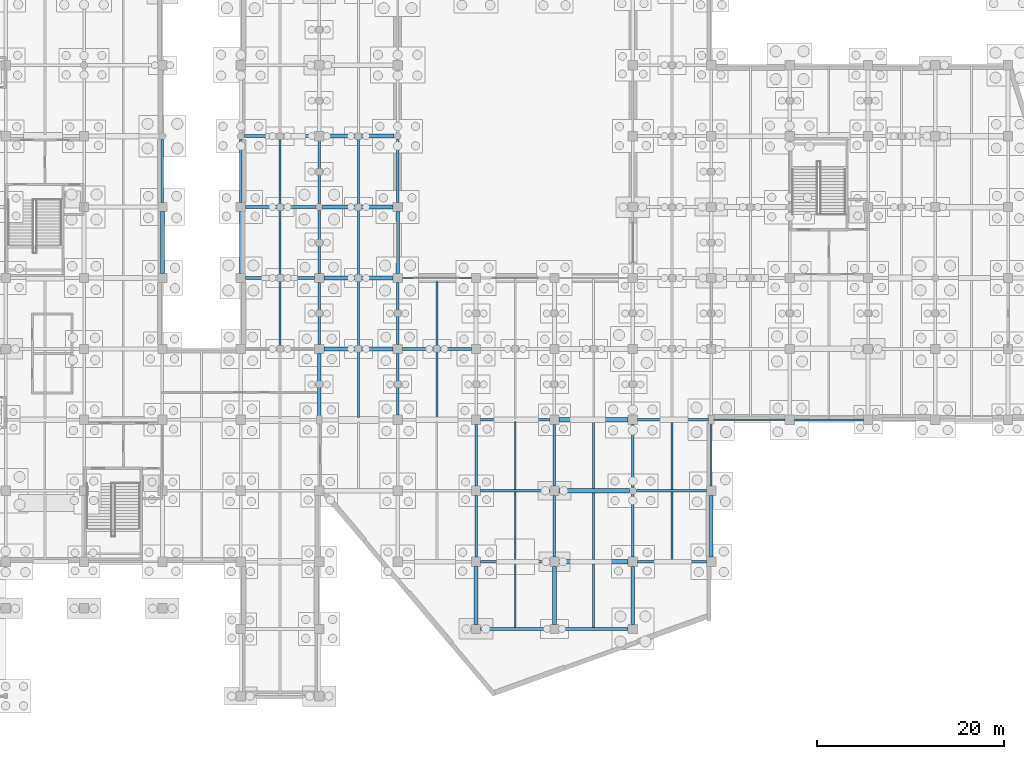
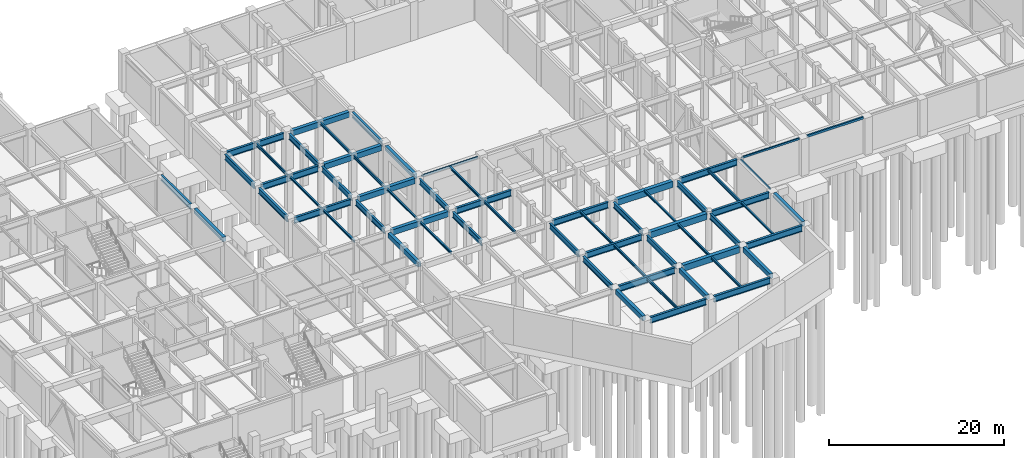
# One storey, part 24 of 52: 62 beams.
"""IFC4 building model written with IfcOpenShell, lengths in metres."""

import ifcopenshell
import ifcopenshell.guid

model = None  # the IFC model being written
_history = None  # IfcOwnerHistory: only IFC2X3 demands one
_inside = {}  # id of a spatial element -> (the spatial element, [elements in it])
_under = {}  # id of a project, library or spatial element -> (it, [spatial elements below it])
_declared = {}  # id of a project -> (the project, [libraries it declares])
_typed = {}  # id of a type object -> (the type object, [elements of that type])
_made_of = {}  # id of a material, layer set ... -> (it, [elements and type objects made of it])


def new_model(schema):
    """Start an empty IFC model of exactly this schema.

    Asked for "IFC4X3", IfcOpenShell would pick the latest addendum, in which some entities
    have other attributes; the version numbers below select the first issue.
    IFC2X3 requires an IfcOwnerHistory on every rooted entity: one is made here for all.
    """
    global model, _history
    if schema == "IFC4X3":
        model = ifcopenshell.file(schema_version=(4, 3, 0, 0))
    else:
        model = ifcopenshell.file(schema=schema)
    _inside.clear()
    _under.clear()
    _declared.clear()
    _typed.clear()
    _made_of.clear()
    _history = None
    if model.schema == "IFC2X3":
        org = make("IfcOrganization", Name="unknown")
        user = make(
            "IfcPersonAndOrganization",
            ThePerson=make("IfcPerson", FamilyName="unknown"),
            TheOrganization=org,
        )
        app = make(
            "IfcApplication",
            ApplicationDeveloper=org,
            Version="unknown",
            ApplicationFullName="unknown",
            ApplicationIdentifier="unknown",
        )
        _history = make(
            "IfcOwnerHistory",
            OwningUser=user,
            OwningApplication=app,
            ChangeAction="ADDED",
            CreationDate=0,
        )
    return model


def make(cls, **values):
    """One entity of the class cls with the attributes given. An attribute that is None is left unset."""
    return model.create_entity(
        cls, **{name: value for name, value in values.items() if value is not None}
    )


def rooted(cls, **values):
    """An entity with a GlobalId (a new one), such as an element, a storey or a relation."""
    return make(cls, GlobalId=ifcopenshell.guid.new(), OwnerHistory=_history, **values)


def si_unit(unit_type, name, prefix=None):
    """IfcSIUnit, for example si_unit("LENGTHUNIT", "METRE", prefix="MILLI")."""
    return make("IfcSIUnit", UnitType=unit_type, Prefix=prefix, Name=name)


def assignment(units):
    """IfcUnitAssignment: the units of a project."""
    return None if units is None else make("IfcUnitAssignment", Units=units)


def point(xyz):
    """IfcCartesianPoint."""
    return None if xyz is None else make("IfcCartesianPoint", Coordinates=xyz)


def direction(xyz):
    """IfcDirection."""
    return None if xyz is None else make("IfcDirection", DirectionRatios=xyz)


def frame(location, z_axis=None, x_axis=None):
    """IfcAxis2Placement3D, a coordinate frame: its origin and axes. An axis left out is left unset."""
    return make(
        "IfcAxis2Placement3D",
        Location=point(location),
        Axis=direction(z_axis),
        RefDirection=direction(x_axis),
    )


def frame_2d(location, x_axis=None):
    """IfcAxis2Placement2D, a coordinate frame in the plane: its origin and x axis."""
    return make(
        "IfcAxis2Placement2D", Location=point(location), RefDirection=direction(x_axis)
    )


def origin():
    """The frame at (0, 0, 0) with its axes left unset."""
    return frame((0.0, 0.0, 0.0))


def origin_2d():
    """The frame at (0, 0) in the plane with its x axis left unset."""
    return frame_2d((0.0, 0.0))


def place(relative_to, where):
    """IfcLocalPlacement: puts the frame where relative to a parent placement (None: the world)."""
    return make(
        "IfcLocalPlacement", PlacementRelTo=relative_to, RelativePlacement=where
    )


def context(
    kind, dimensions, precision=None, world=None, true_north=None, identifier=None
):
    """IfcGeometricRepresentationContext, for example the 3D "Model" context."""
    return make(
        "IfcGeometricRepresentationContext",
        ContextIdentifier=identifier,
        ContextType=kind,
        CoordinateSpaceDimension=dimensions,
        Precision=precision,
        WorldCoordinateSystem=world,
        TrueNorth=true_north,
    )


def subcontext(parent, identifier, kind, view, scale=None):
    """IfcGeometricRepresentationSubContext, for example "Body" below "Model"."""
    return make(
        "IfcGeometricRepresentationSubContext",
        ContextIdentifier=identifier,
        ContextType=kind,
        ParentContext=parent,
        TargetScale=scale,
        TargetView=view,
    )


def project(units=None, contexts=None):
    """IfcProject with its units and contexts."""
    return rooted(
        "IfcProject",
        Name="project",
        RepresentationContexts=contexts,
        UnitsInContext=assignment(units),
    )


def spatial(cls, under=None, at=None, **own):
    """A site, building, storey or space (cls), placed at a placement, below another one or the project."""
    s = rooted(cls, ObjectPlacement=at, **own)
    if under is not None:
        _under.setdefault(under.id(), (under, []))[1].append(s)
    return s


def profile(cls, at=None, kind="AREA", **sizes):
    """A parametric profile (cls). Its sizes go by their IFC names, for example OverallWidth=200.0."""
    return make(cls, ProfileType=kind, Position=at, **sizes)


def rectangle(**sizes):
    """IfcRectangleProfileDef."""
    return profile("IfcRectangleProfileDef", **sizes)


def hollow_rectangle(**sizes):
    """IfcRectangleHollowProfileDef."""
    return profile("IfcRectangleHollowProfileDef", **sizes)


def i_section(**sizes):
    """IfcIShapeProfileDef."""
    return profile("IfcIShapeProfileDef", **sizes)


def extrude(swept, where, along, depth):
    """IfcExtrudedAreaSolid: the profile swept, set in the frame where, extruded along a direction by depth."""
    return make(
        "IfcExtrudedAreaSolid",
        SweptArea=swept,
        Position=where,
        ExtrudedDirection=direction(along),
        Depth=depth,
    )


def shape(context_of_items, identifier, shape_type, items):
    """IfcShapeRepresentation: the items that make up one representation, for example the "Body"."""
    return make(
        "IfcShapeRepresentation",
        ContextOfItems=context_of_items,
        RepresentationIdentifier=identifier,
        RepresentationType=shape_type,
        Items=items,
    )


def material(Name=None, Category=None):
    """IfcMaterial."""
    return make("IfcMaterial", Name=Name, Category=Category)


def material_profile(
    of_material, cross_section, Name=None, Category=None, Priority=None
):
    """IfcMaterialProfile: a cross section and its material."""
    return make(
        "IfcMaterialProfile",
        Name=Name,
        Material=of_material,
        Profile=cross_section,
        Priority=Priority,
        Category=Category,
    )


def profile_set(profiles, Name=None, composite=None):
    """IfcMaterialProfileSet."""
    return make(
        "IfcMaterialProfileSet",
        Name=Name,
        MaterialProfiles=profiles,
        CompositeProfile=composite,
    )


def made_of(thing, what):
    """Note that an element or type object is made of a material, layer set ...; save() writes the relation."""
    if what is not None:
        _made_of.setdefault(what.id(), (what, []))[1].append(thing)
    return thing


def type_object(cls, material=None, **own):
    """A type object (cls), such as IfcWallType, which elements share."""
    return made_of(rooted(cls, **own), material)


def element(
    cls,
    number,
    at=None,
    inside=None,
    cuts=None,
    type_object=None,
    material=None,
    context=None,
    identifier="Body",
    shape_type=None,
    held_by="IfcProductDefinitionShape",
    body=None,
    shapes=None,
    **own,
):
    """One element of the class cls, such as IfcWall. Its Tag is "e" and its number.

    at: its placement. inside: the storey or other place that contains it. cuts: it is an
    opening in that element (IfcRelVoidsElement). A single representation is given by context,
    identifier, shape_type and body (its items); several are given by shapes. held_by: the class
    of the entity that holds the representations. save() writes the other relations.
    """
    e = rooted(cls, Tag="e%d" % number, ObjectPlacement=at, **own)
    if body is not None:
        shapes = [shape(context, identifier, shape_type, body)]
    if shapes is not None:
        e.Representation = make(held_by, Representations=shapes)
    if inside is not None:
        _inside.setdefault(inside.id(), (inside, []))[1].append(e)
    if cuts is not None:
        rooted(
            "IfcRelVoidsElement", RelatingBuildingElement=cuts, RelatedOpeningElement=e
        )
    if type_object is not None:
        _typed.setdefault(type_object.id(), (type_object, []))[1].append(e)
    return made_of(e, material)


def aggregate(whole, parts):
    """IfcRelAggregates: a whole, such as a stair, and the parts it consists of."""
    return rooted("IfcRelAggregates", RelatingObject=whole, RelatedObjects=parts)


def save(model, path):
    """Write the relations noted so far, then the file.

    IfcRelAggregates (storeys below a building ...), IfcRelContainedInSpatialStructure (elements
    in a storey), IfcRelDefinesByType, IfcRelAssociatesMaterial and IfcRelDeclares: one each for
    every whole, place, type object, material and project.
    """
    for whole, parts in _under.values():
        aggregate(whole, parts)
    for where, things in _inside.values():
        rooted(
            "IfcRelContainedInSpatialStructure",
            RelatedElements=things,
            RelatingStructure=where,
        )
    for kind, things in _typed.values():
        rooted("IfcRelDefinesByType", RelatedObjects=things, RelatingType=kind)
    for what, things in _made_of.values():
        rooted("IfcRelAssociatesMaterial", RelatedObjects=things, RelatingMaterial=what)
    for by, libraries in _declared.values():
        rooted("IfcRelDeclares", RelatingContext=by, RelatedDefinitions=libraries)
    model.write(path)


model = new_model("IFC4")

# Units and contexts
model_context = context("Model", 3, precision=1e-05, world=origin(), true_north=direction((0.0, 1.0)))
body_context = subcontext(model_context, "Body", "Model", "MODEL_VIEW")
ifc_project = project(units=[si_unit("LENGTHUNIT", "METRE"), si_unit("AREAUNIT", "SQUARE_METRE"), si_unit("VOLUMEUNIT", "CUBIC_METRE"), si_unit("PLANEANGLEUNIT", "RADIAN"), si_unit("MASSUNIT", "GRAM", prefix="KILO")], contexts=[model_context])

# Site, building, storey
site_placement = place(None, origin())
site = spatial("IfcSite", under=ifc_project, at=site_placement, CompositionType="ELEMENT")
building_placement = place(site_placement, origin())
building = spatial("IfcBuilding", under=site, at=building_placement, Name="Xicomal Pleat Aquarium", CompositionType="ELEMENT")
storey_placement = place(building_placement, frame((0.0, 0.0, -5.39990234375)))
storey = spatial("IfcBuildingStorey", under=building, at=storey_placement, Name="B1", CompositionType="ELEMENT", Elevation=-5.39990234375)

# Beams
ifc_material_1 = material(Name="Concrete C40/50", Category="concrete")
ifc_material_profile_1 = material_profile(ifc_material_1, rectangle(XDim=0.39990234375, YDim=0.64990234375, at=origin_2d()), Name="RC 400x650")
ifc_profile_set_1 = profile_set([ifc_material_profile_1], Name="Concrete C40/50")
beam_type_1 = type_object("IfcBeamType", Name="BM-RC-400x650", PredefinedType="LINTEL", material=ifc_profile_set_1)
beam_1_placement = place(storey_placement, frame((35.39990234375, 46.094970703125, 4.81494140625), z_axis=(0.0, 1.0, 0.0), x_axis=(-1.0, 0.0, 0.0)))
element("IfcBeam", 1, at=beam_1_placement, inside=storey, type_object=beam_type_1, Name="B1 framing beam FGY-B1-05-G-H", PredefinedType="LINTEL", context=body_context, shape_type="SweptSolid", body=[
    extrude(rectangle(XDim=0.39990234375, YDim=0.64990234375, at=origin_2d()), origin(), (0.0, 0.0, 1.0), 6.610107421875),
])
beam_2_placement = place(storey_placement, frame((52.199951171875, 30.695068359375, 4.75), z_axis=(0.0, 1.0, 0.0), x_axis=(-1.0, 0.0, 0.0)))
element("IfcBeam", 2, at=beam_2_placement, inside=storey, type_object=beam_type_1, Name="B1 framing beam FGY-B1-07-E-F", PredefinedType="LINTEL", context=body_context, shape_type="SweptSolid", body=[
    extrude(rectangle(XDim=0.39990234375, YDim=0.64990234375, at=origin_2d()), origin(), (0.0, 0.0, 1.0), 6.809814453125),
])
beam_3_placement = place(storey_placement, frame((60.60009765625, 46.094970703125, 4.75), z_axis=(0.0, 1.0, 0.0), x_axis=(-1.0, 0.0, 0.0)))
element("IfcBeam", 3, at=beam_3_placement, inside=storey, type_object=beam_type_1, Name="B1 framing beam FGY-B1-08-G-H", PredefinedType="LINTEL", context=body_context, shape_type="SweptSolid", body=[
    extrude(rectangle(XDim=0.39990234375, YDim=0.64990234375, at=origin_2d()), origin(), (0.0, 0.0, 1.0), 6.610107421875),
])
for number, where, z_axis, x_axis, name in (
    (4, (69.0, 8.4951171875, 4.8349609375), (0.0, 1.0, 0.0), (-1.0, 0.0, 0.0), "B1 framing beam FGY-B1-09-B-C"),
    (5, (77.39990234375, 8.4951171875, 4.8349609375), (0.0, 1.0, 0.0), (-1.0, 0.0, 0.0), "B1 framing beam FGY-B1-10-B-C"),
    (6, (85.800048828125, 8.4951171875, 4.8349609375), (0.0, 1.0, 0.0), (-1.0, 0.0, 0.0), "B1 framing beam FGY-B1-11-B-C"),
):
    element("IfcBeam", number, at=place(storey_placement, frame(where, z_axis=z_axis, x_axis=x_axis)), inside=storey, type_object=beam_type_1, Name=name, PredefinedType="LINTEL", context=body_context, shape_type="SweptSolid", body=[
        extrude(rectangle(XDim=0.39990234375, YDim=0.64990234375, at=origin_2d()), origin(), (0.0, 0.0, 1.0), 6.2099609375),
    ])
beam_4_placement = place(storey_placement, frame((94.199951171875, 15.695068359375, 4.8349609375), z_axis=(0.0, 1.0, 0.0), x_axis=(-1.0, 0.0, 0.0)))
element("IfcBeam", 7, at=beam_4_placement, inside=storey, type_object=beam_type_1, Name="B1 framing beam FGY-B1-12-C-D", PredefinedType="LINTEL", context=body_context, shape_type="SweptSolid", body=[
    extrude(rectangle(XDim=0.39990234375, YDim=0.64990234375, at=origin_2d()), origin(), (0.0, 0.0, 1.0), 6.60986328125),
])
ifc_material_2 = material(Name="Concrete C40/50", Category="concrete")
ifc_material_profile_2 = material_profile(ifc_material_2, rectangle(XDim=0.449951171875, YDim=0.75, at=origin_2d()), Name="RC 450x750")
ifc_profile_set_2 = profile_set([ifc_material_profile_2], Name="Concrete C40/50")
beam_type_2 = type_object("IfcBeamType", Name="BM-RC-450x750", PredefinedType="BEAM", material=ifc_profile_set_2)
for number, where, z_axis, x_axis, name in (
    (8, (52.695068359375, 38.0, 4.699951171875), (1.0, 0.0, 0.0), (0.0, 1.0, 0.0), "B1 framing beam FGX-B1-07-08-F"),
    (9, (52.695068359375, 45.60009765625, 4.699951171875), (1.0, 0.0, 0.0), (0.0, 1.0, 0.0), "B1 framing beam FGX-B1-07-08-G"),
):
    element("IfcBeam", number, at=place(storey_placement, frame(where, z_axis=z_axis, x_axis=x_axis)), inside=storey, type_object=beam_type_2, Name=name, PredefinedType="BEAM", context=body_context, shape_type="SweptSolid", body=[
        extrude(rectangle(XDim=0.449951171875, YDim=0.75, at=origin_2d()), origin(), (0.0, 0.0, 1.0), 7.409912109375),
    ])
for number, where, z_axis, x_axis, name in (
    (10, (52.570068359375, 53.199951171875, 4.699951171875), (1.0, 0.0, 0.0), (0.0, 1.0, 0.0), "B1 framing beam FGX-B1-07-08-H"),
    (11, (52.695068359375, 60.800048828125, 4.699951171875), (1.0, 0.0, 0.0), (0.0, 1.0, 0.0), "B1 framing beam FGX-B1-07-08-J"),
):
    element("IfcBeam", number, at=place(storey_placement, frame(where, z_axis=z_axis, x_axis=x_axis)), inside=storey, type_object=beam_type_2, Name=name, PredefinedType="BEAM", context=body_context, shape_type="SweptSolid", body=[
        extrude(rectangle(XDim=0.449951171875, YDim=0.75, at=origin_2d()), origin(), (0.0, 0.0, 1.0), 7.534912109375),
    ])
ifc_material_3 = material(Name="Concrete C40/50", Category="concrete")
ifc_material_profile_3 = material_profile(ifc_material_3, rectangle(XDim=0.5, YDim=0.85009765625, at=origin_2d()), Name="RC 500x850")
ifc_profile_set_3 = profile_set([ifc_material_profile_3], Name="Concrete C40/50")
beam_type_3 = type_object("IfcBeamType", Name="BM-RC-500x850", PredefinedType="T_BEAM", material=ifc_profile_set_3)
beam_5_placement = place(storey_placement, frame((77.89501953125, 15.199951171875, 4.73486328125), z_axis=(1.0, 0.0, 0.0), x_axis=(0.0, 1.0, 0.0)))
element("IfcBeam", 12, at=beam_5_placement, inside=storey, type_object=beam_type_3, Name="B1 framing beam FGX-B1-10-11-C", PredefinedType="T_BEAM", context=body_context, shape_type="SweptSolid", body=[
    extrude(rectangle(XDim=0.5, YDim=0.85009765625, at=origin_2d()), origin(), (0.0, 0.0, 1.0), 7.409912109375),
])
beam_6_placement = place(storey_placement, frame((77.89501953125, 22.800048828125, 4.73486328125), z_axis=(1.0, 0.0, 0.0), x_axis=(0.0, 1.0, 0.0)))
element("IfcBeam", 13, at=beam_6_placement, inside=storey, type_object=beam_type_3, Name="B1 framing beam FGX-B1-10-11-D", PredefinedType="T_BEAM", context=body_context, shape_type="SweptSolid", body=[
    extrude(rectangle(XDim=0.5, YDim=0.85009765625, at=origin_2d()), origin(), (0.0, 0.0, 1.0), 7.534912109375),
])
beam_7_placement = place(storey_placement, frame((77.89501953125, 30.39990234375, 4.64990234375), z_axis=(1.0, 0.0, 0.0), x_axis=(0.0, 1.0, 0.0)))
element("IfcBeam", 14, at=beam_7_placement, inside=storey, type_object=beam_type_3, Name="B1 framing beam FGX-B1-10-11-E", PredefinedType="T_BEAM", context=body_context, shape_type="SweptSolid", body=[
    extrude(rectangle(XDim=0.5, YDim=0.85009765625, at=origin_2d()), origin(), (0.0, 0.0, 1.0), 7.409912109375),
])
ifc_material_4 = material(Name="Structural steel A992 Gr 50", Category="steel")
ifc_material_profile_4 = material_profile(ifc_material_4, i_section(OverallWidth=0.201904296875, OverallDepth=0.2470703125, WebThickness=0.00732421875, FlangeThickness=0.010986328125, at=origin_2d()), Name="IR 250x49")
ifc_profile_set_4 = profile_set([ifc_material_profile_4], Name="Structural steel A992 Gr 50")
beam_type_4 = type_object("IfcBeamType", Name="BM-STL-IR250", PredefinedType="JOIST", material=ifc_profile_set_4)
beam_8_placement = place(storey_placement, frame((48.0, 45.75, 4.951416015625), z_axis=(0.0, 1.0, 0.0), x_axis=(-1.0, 0.0, 0.0)))
element("IfcBeam", 15, at=beam_8_placement, inside=storey, type_object=beam_type_4, Name="B1 framing beam FBJ-B1-06-G-1", PredefinedType="JOIST", context=body_context, shape_type="SweptSolid", body=[
    extrude(i_section(OverallWidth=0.201904296875, OverallDepth=0.2470703125, WebThickness=0.00732421875, FlangeThickness=0.010986328125, at=origin_2d()), origin(), (0.0, 0.0, 1.0), 7.300048828125),
])
beam_9_placement = place(storey_placement, frame((56.39990234375, 38.22802734375, 4.951416015625), z_axis=(0.0, 1.0, 0.0), x_axis=(-1.0, 0.0, 0.0)))
element("IfcBeam", 16, at=beam_9_placement, inside=storey, type_object=beam_type_4, Name="B1 framing beam FBJ-B1-07-F-1", PredefinedType="JOIST", context=body_context, shape_type="SweptSolid", body=[
    extrude(i_section(OverallWidth=0.201904296875, OverallDepth=0.2470703125, WebThickness=0.00732421875, FlangeThickness=0.010986328125, at=origin_2d()), origin(), (0.0, 0.0, 1.0), 7.14404296875),
])
beam_10_placement = place(storey_placement, frame((81.60009765625, 23.052978515625, 5.036376953125), z_axis=(0.0, 1.0, 0.0), x_axis=(-1.0, 0.0, 0.0)))
element("IfcBeam", 17, at=beam_10_placement, inside=storey, type_object=beam_type_4, Name="B1 framing beam FBJ-B1-10-D-1", PredefinedType="JOIST", context=body_context, shape_type="SweptSolid", body=[
    extrude(i_section(OverallWidth=0.201904296875, OverallDepth=0.2470703125, WebThickness=0.00732421875, FlangeThickness=0.010986328125, at=origin_2d()), origin(), (0.0, 0.0, 1.0), 7.093994140625),
])
beam_11_placement = place(storey_placement, frame((90.0, 15.35009765625, 5.036376953125), z_axis=(0.0, 1.0, 0.0), x_axis=(-1.0, 0.0, 0.0)))
element("IfcBeam", 18, at=beam_11_placement, inside=storey, type_object=beam_type_4, Name="B1 framing beam FBJ-B1-11-C-1", PredefinedType="JOIST", context=body_context, shape_type="SweptSolid", body=[
    extrude(i_section(OverallWidth=0.201904296875, OverallDepth=0.2470703125, WebThickness=0.00732421875, FlangeThickness=0.010986328125, at=origin_2d()), origin(), (0.0, 0.0, 1.0), 7.2998046875),
])
ifc_material_5 = material(Name="Structural steel A992 Gr 50", Category="steel")
ifc_material_profile_5 = material_profile(ifc_material_5, i_section(OverallWidth=0.202880859375, OverallDepth=0.302978515625, WebThickness=0.007568359375, FlangeThickness=0.01318359375, at=origin_2d()), Name="IR 310x60")
ifc_profile_set_5 = profile_set([ifc_material_profile_5], Name="Structural steel A992 Gr 50")
beam_type_5 = type_object("IfcBeamType", Name="BM-STL-IR310", PredefinedType="JOIST", material=ifc_profile_set_5)
beam_12_placement = place(storey_placement, frame((48.0, 38.14990234375, 4.92333984375), z_axis=(0.0, 1.0, 0.0), x_axis=(-1.0, 0.0, 0.0)))
element("IfcBeam", 19, at=beam_12_placement, inside=storey, type_object=beam_type_5, Name="B1 framing beam FBJ-B1-06-F-1", PredefinedType="JOIST", context=body_context, shape_type="SweptSolid", body=[
    extrude(i_section(OverallWidth=0.202880859375, OverallDepth=0.302978515625, WebThickness=0.007568359375, FlangeThickness=0.01318359375, at=origin_2d()), origin(), (0.0, 0.0, 1.0), 7.300048828125),
])
beam_13_placement = place(storey_placement, frame((56.39990234375, 30.6279296875, 4.92333984375), z_axis=(0.0, 1.0, 0.0), x_axis=(-1.0, 0.0, 0.0)))
element("IfcBeam", 20, at=beam_13_placement, inside=storey, type_object=beam_type_5, Name="B1 framing beam FBJ-B1-07-E-1", PredefinedType="JOIST", context=body_context, shape_type="SweptSolid", body=[
    extrude(i_section(OverallWidth=0.202880859375, OverallDepth=0.302978515625, WebThickness=0.007568359375, FlangeThickness=0.01318359375, at=origin_2d()), origin(), (0.0, 0.0, 1.0), 7.14404296875),
])
beam_14_placement = place(storey_placement, frame((64.800048828125, 38.14990234375, 4.92333984375), z_axis=(0.0, 1.0, 0.0), x_axis=(-1.0, 0.0, 0.0)))
element("IfcBeam", 21, at=beam_14_placement, inside=storey, type_object=beam_type_5, Name="B1 framing beam FBJ-B1-08-F-1", PredefinedType="JOIST", context=body_context, shape_type="SweptSolid", body=[
    extrude(i_section(OverallWidth=0.202880859375, OverallDepth=0.302978515625, WebThickness=0.007568359375, FlangeThickness=0.01318359375, at=origin_2d()), origin(), (0.0, 0.0, 1.0), 7.3720703125),
])
beam_15_placement = place(storey_placement, frame((73.199951171875, 22.949951171875, 5.00830078125), z_axis=(0.0, 1.0, 0.0), x_axis=(-1.0, 0.0, 0.0)))
element("IfcBeam", 22, at=beam_15_placement, inside=storey, type_object=beam_type_5, Name="B1 framing beam FBJ-B1-09-D-1", PredefinedType="JOIST", context=body_context, shape_type="SweptSolid", body=[
    extrude(i_section(OverallWidth=0.202880859375, OverallDepth=0.302978515625, WebThickness=0.007568359375, FlangeThickness=0.01318359375, at=origin_2d()), origin(), (0.0, 0.0, 1.0), 7.300048828125),
])
beam_16_placement = place(storey_placement, frame((81.60009765625, 15.452880859375, 5.00830078125), z_axis=(0.0, 1.0, 0.0), x_axis=(-1.0, 0.0, 0.0)))
element("IfcBeam", 23, at=beam_16_placement, inside=storey, type_object=beam_type_5, Name="B1 framing beam FBJ-B1-10-C-1", PredefinedType="JOIST", context=body_context, shape_type="SweptSolid", body=[
    extrude(i_section(OverallWidth=0.202880859375, OverallDepth=0.302978515625, WebThickness=0.007568359375, FlangeThickness=0.01318359375, at=origin_2d()), origin(), (0.0, 0.0, 1.0), 7.09423828125),
])
ifc_material_6 = material(Name="Structural steel A992 Gr 50", Category="steel")
ifc_material_profile_6 = material_profile(ifc_material_6, i_section(OverallWidth=0.205078125, OverallDepth=0.35400390625, WebThickness=0.009521484375, FlangeThickness=0.016845703125, at=origin_2d()), Name="IR 360x79")
ifc_profile_set_6 = profile_set([ifc_material_profile_6], Name="Structural steel A992 Gr 50")
beam_type_6 = type_object("IfcBeamType", Name="BM-STL-IR360", PredefinedType="JOIST", material=ifc_profile_set_6)
beam_17_placement = place(storey_placement, frame((56.39990234375, 53.427978515625, 4.89794921875), z_axis=(0.0, 1.0, 0.0), x_axis=(-1.0, 0.0, 0.0)))
element("IfcBeam", 24, at=beam_17_placement, inside=storey, type_object=beam_type_6, Name="B1 framing beam FBJ-B1-07-H-1", PredefinedType="JOIST", context=body_context, shape_type="SweptSolid", body=[
    extrude(i_section(OverallWidth=0.205078125, OverallDepth=0.35400390625, WebThickness=0.009521484375, FlangeThickness=0.016845703125, at=origin_2d()), origin(), (0.0, 0.0, 1.0), 7.14404296875),
])
beam_18_placement = place(storey_placement, frame((64.800048828125, 30.550048828125, 4.89794921875), z_axis=(0.0, 1.0, 0.0), x_axis=(-1.0, 0.0, 0.0)))
element("IfcBeam", 25, at=beam_18_placement, inside=storey, type_object=beam_type_6, Name="B1 framing beam FBJ-B1-08-E-1", PredefinedType="JOIST", context=body_context, shape_type="SweptSolid", body=[
    extrude(i_section(OverallWidth=0.205078125, OverallDepth=0.35400390625, WebThickness=0.009521484375, FlangeThickness=0.016845703125, at=origin_2d()), origin(), (0.0, 0.0, 1.0), 7.300048828125),
])
beam_19_placement = place(storey_placement, frame((73.199951171875, 15.35009765625, 4.98291015625), z_axis=(0.0, 1.0, 0.0), x_axis=(-1.0, 0.0, 0.0)))
element("IfcBeam", 26, at=beam_19_placement, inside=storey, type_object=beam_type_6, Name="B1 framing beam FBJ-B1-09-C-1", PredefinedType="JOIST", context=body_context, shape_type="SweptSolid", body=[
    extrude(i_section(OverallWidth=0.205078125, OverallDepth=0.35400390625, WebThickness=0.009521484375, FlangeThickness=0.016845703125, at=origin_2d()), origin(), (0.0, 0.0, 1.0), 7.2998046875),
])
beam_20_placement = place(storey_placement, frame((81.60009765625, 8.14990234375, 4.98291015625), z_axis=(0.0, 1.0, 0.0), x_axis=(-1.0, 0.0, 0.0)))
element("IfcBeam", 27, at=beam_20_placement, inside=storey, type_object=beam_type_6, Name="B1 framing beam FBJ-B1-10-B-1", PredefinedType="JOIST", context=body_context, shape_type="SweptSolid", body=[
    extrude(i_section(OverallWidth=0.205078125, OverallDepth=0.35400390625, WebThickness=0.009521484375, FlangeThickness=0.016845703125, at=origin_2d()), origin(), (0.0, 0.0, 1.0), 6.797119140625),
])
ifc_material_7 = material(Name="Structural steel A992 Gr 50", Category="steel")
ifc_material_profile_7 = material_profile(ifc_material_7, i_section(OverallWidth=0.180908203125, OverallDepth=0.4169921875, WebThickness=0.010986328125, FlangeThickness=0.018310546875, at=origin_2d()), Name="IR 410x85")
ifc_profile_set_7 = profile_set([ifc_material_profile_7], Name="Structural steel A992 Gr 50")
beam_type_7 = type_object("IfcBeamType", Name="BM-STL-IR410", PredefinedType="JOIST", material=ifc_profile_set_7)
beam_21_placement = place(storey_placement, frame((48.0, 53.35009765625, 4.866455078125), z_axis=(0.0, 1.0, 0.0), x_axis=(-1.0, 0.0, 0.0)))
element("IfcBeam", 28, at=beam_21_placement, inside=storey, type_object=beam_type_7, Name="B1 framing beam FBJ-B1-06-H-1", PredefinedType="JOIST", context=body_context, shape_type="SweptSolid", body=[
    extrude(i_section(OverallWidth=0.180908203125, OverallDepth=0.4169921875, WebThickness=0.010986328125, FlangeThickness=0.018310546875, at=origin_2d()), origin(), (0.0, 0.0, 1.0), 7.2998046875),
])
beam_22_placement = place(storey_placement, frame((56.39990234375, 45.827880859375, 4.866455078125), z_axis=(0.0, 1.0, 0.0), x_axis=(-1.0, 0.0, 0.0)))
element("IfcBeam", 29, at=beam_22_placement, inside=storey, type_object=beam_type_7, Name="B1 framing beam FBJ-B1-07-G-1", PredefinedType="JOIST", context=body_context, shape_type="SweptSolid", body=[
    extrude(i_section(OverallWidth=0.180908203125, OverallDepth=0.4169921875, WebThickness=0.010986328125, FlangeThickness=0.018310546875, at=origin_2d()), origin(), (0.0, 0.0, 1.0), 7.14404296875),
])
beam_23_placement = place(storey_placement, frame((73.199951171875, 8.14990234375, 4.951416015625), z_axis=(0.0, 1.0, 0.0), x_axis=(-1.0, 0.0, 0.0)))
element("IfcBeam", 30, at=beam_23_placement, inside=storey, type_object=beam_type_7, Name="B1 framing beam FBJ-B1-09-B-1", PredefinedType="JOIST", context=body_context, shape_type="SweptSolid", body=[
    extrude(i_section(OverallWidth=0.180908203125, OverallDepth=0.4169921875, WebThickness=0.010986328125, FlangeThickness=0.018310546875, at=origin_2d()), origin(), (0.0, 0.0, 1.0), 6.900146484375),
])
beam_24_placement = place(storey_placement, frame((90.0, 22.949951171875, 4.951416015625), z_axis=(0.0, 1.0, 0.0), x_axis=(-1.0, 0.0, 0.0)))
element("IfcBeam", 31, at=beam_24_placement, inside=storey, type_object=beam_type_7, Name="B1 framing beam FBJ-B1-11-D-1", PredefinedType="JOIST", context=body_context, shape_type="SweptSolid", body=[
    extrude(i_section(OverallWidth=0.180908203125, OverallDepth=0.4169921875, WebThickness=0.010986328125, FlangeThickness=0.018310546875, at=origin_2d()), origin(), (0.0, 0.0, 1.0), 7.300048828125),
])
ifc_material_8 = material(Name="Structural steel A992 Gr 50", Category="steel")
ifc_material_profile_8 = material_profile(ifc_material_8, i_section(OverallWidth=0.26806640625, OverallDepth=0.77001953125, WebThickness=0.015625, FlangeThickness=0.025390625, at=origin_2d()), Name="IR 760x196")
ifc_profile_set_8 = profile_set([ifc_material_profile_8], Name="Structural steel A992 Gr 50")
beam_type_8 = type_object("IfcBeamType", Name="BM-STL-IR760", PredefinedType="BEAM", material=ifc_profile_set_8)
beam_25_placement = place(storey_placement, frame((35.39990234375, 53.695068359375, 4.7548828125), z_axis=(0.0, 1.0, 0.0), x_axis=(-1.0, 0.0, 0.0)))
element("IfcBeam", 32, at=beam_25_placement, inside=storey, type_object=beam_type_8, Name="B1 framing beam FGY-B1-05-H-J", PredefinedType="BEAM", context=body_context, shape_type="SweptSolid", body=[
    extrude(i_section(OverallWidth=0.26806640625, OverallDepth=0.77001953125, WebThickness=0.015625, FlangeThickness=0.025390625, at=origin_2d()), origin(), (0.0, 0.0, 1.0), 6.73486328125),
])
beam_26_placement = place(storey_placement, frame((43.800048828125, 46.094970703125, 4.68994140625), z_axis=(0.0, 1.0, 0.0), x_axis=(-1.0, 0.0, 0.0)))
element("IfcBeam", 33, at=beam_26_placement, inside=storey, type_object=beam_type_8, Name="B1 framing beam FGY-B1-06-G-H", PredefinedType="BEAM", context=body_context, shape_type="SweptSolid", body=[
    extrude(i_section(OverallWidth=0.26806640625, OverallDepth=0.77001953125, WebThickness=0.015625, FlangeThickness=0.025390625, at=origin_2d()), origin(), (0.0, 0.0, 1.0), 6.610107421875),
])
beam_27_placement = place(storey_placement, frame((43.800048828125, 53.695068359375, 4.68994140625), z_axis=(0.0, 1.0, 0.0), x_axis=(-1.0, 0.0, 0.0)))
element("IfcBeam", 34, at=beam_27_placement, inside=storey, type_object=beam_type_8, Name="B1 framing beam FGY-B1-06-H-J", PredefinedType="BEAM", context=body_context, shape_type="SweptSolid", body=[
    extrude(i_section(OverallWidth=0.26806640625, OverallDepth=0.77001953125, WebThickness=0.015625, FlangeThickness=0.025390625, at=origin_2d()), origin(), (0.0, 0.0, 1.0), 6.73486328125),
])
beam_28_placement = place(storey_placement, frame((52.199951171875, 38.4951171875, 4.68994140625), z_axis=(0.0, 1.0, 0.0), x_axis=(-1.0, 0.0, 0.0)))
element("IfcBeam", 35, at=beam_28_placement, inside=storey, type_object=beam_type_8, Name="B1 framing beam FGY-B1-07-F-G", PredefinedType="BEAM", context=body_context, shape_type="SweptSolid", body=[
    extrude(i_section(OverallWidth=0.26806640625, OverallDepth=0.77001953125, WebThickness=0.015625, FlangeThickness=0.025390625, at=origin_2d()), origin(), (0.0, 0.0, 1.0), 6.60986328125),
])
beam_29_placement = place(storey_placement, frame((52.199951171875, 46.094970703125, 4.68994140625), z_axis=(0.0, 1.0, 0.0), x_axis=(-1.0, 0.0, 0.0)))
element("IfcBeam", 36, at=beam_29_placement, inside=storey, type_object=beam_type_8, Name="B1 framing beam FGY-B1-07-G-H", PredefinedType="BEAM", context=body_context, shape_type="SweptSolid", body=[
    extrude(i_section(OverallWidth=0.26806640625, OverallDepth=0.77001953125, WebThickness=0.015625, FlangeThickness=0.025390625, at=origin_2d()), origin(), (0.0, 0.0, 1.0), 6.735107421875),
])
beam_30_placement = place(storey_placement, frame((52.199951171875, 53.570068359375, 4.68994140625), z_axis=(0.0, 1.0, 0.0), x_axis=(-1.0, 0.0, 0.0)))
element("IfcBeam", 37, at=beam_30_placement, inside=storey, type_object=beam_type_8, Name="B1 framing beam FGY-B1-07-H-J", PredefinedType="BEAM", context=body_context, shape_type="SweptSolid", body=[
    extrude(i_section(OverallWidth=0.26806640625, OverallDepth=0.77001953125, WebThickness=0.015625, FlangeThickness=0.025390625, at=origin_2d()), origin(), (0.0, 0.0, 1.0), 6.73486328125),
])
for number, where, z_axis, x_axis, name in (
    (38, (60.60009765625, 30.89501953125, 4.68994140625), (0.0, 1.0, 0.0), (-1.0, 0.0, 0.0), "B1 framing beam FGY-B1-08-E-F"),
    (39, (60.60009765625, 38.4951171875, 4.68994140625), (0.0, 1.0, 0.0), (-1.0, 0.0, 0.0), "B1 framing beam FGY-B1-08-F-G"),
):
    element("IfcBeam", number, at=place(storey_placement, frame(where, z_axis=z_axis, x_axis=x_axis)), inside=storey, type_object=beam_type_8, Name=name, PredefinedType="BEAM", context=body_context, shape_type="SweptSolid", body=[
        extrude(i_section(OverallWidth=0.26806640625, OverallDepth=0.77001953125, WebThickness=0.015625, FlangeThickness=0.025390625, at=origin_2d()), origin(), (0.0, 0.0, 1.0), 6.60986328125),
    ])
beam_31_placement = place(storey_placement, frame((60.60009765625, 53.695068359375, 4.68994140625), z_axis=(0.0, 1.0, 0.0), x_axis=(-1.0, 0.0, 0.0)))
element("IfcBeam", 40, at=beam_31_placement, inside=storey, type_object=beam_type_8, Name="B1 framing beam FGY-B1-08-H-J", PredefinedType="BEAM", context=body_context, shape_type="SweptSolid", body=[
    extrude(i_section(OverallWidth=0.26806640625, OverallDepth=0.77001953125, WebThickness=0.015625, FlangeThickness=0.025390625, at=origin_2d()), origin(), (0.0, 0.0, 1.0), 6.73486328125),
])
beam_32_placement = place(storey_placement, frame((69.0, 15.695068359375, 4.77490234375), z_axis=(0.0, 1.0, 0.0), x_axis=(-1.0, 0.0, 0.0)))
element("IfcBeam", 41, at=beam_32_placement, inside=storey, type_object=beam_type_8, Name="B1 framing beam FGY-B1-09-C-D", PredefinedType="BEAM", context=body_context, shape_type="SweptSolid", body=[
    extrude(i_section(OverallWidth=0.26806640625, OverallDepth=0.77001953125, WebThickness=0.015625, FlangeThickness=0.025390625, at=origin_2d()), origin(), (0.0, 0.0, 1.0), 6.60986328125),
])
beam_33_placement = place(storey_placement, frame((69.0, 23.294921875, 4.77490234375), z_axis=(0.0, 1.0, 0.0), x_axis=(-1.0, 0.0, 0.0)))
element("IfcBeam", 42, at=beam_33_placement, inside=storey, type_object=beam_type_8, Name="B1 framing beam FGY-B1-09-D-E", PredefinedType="BEAM", context=body_context, shape_type="SweptSolid", body=[
    extrude(i_section(OverallWidth=0.26806640625, OverallDepth=0.77001953125, WebThickness=0.015625, FlangeThickness=0.025390625, at=origin_2d()), origin(), (0.0, 0.0, 1.0), 6.610107421875),
])
beam_34_placement = place(storey_placement, frame((77.39990234375, 15.695068359375, 4.77490234375), z_axis=(0.0, 1.0, 0.0), x_axis=(-1.0, 0.0, 0.0)))
element("IfcBeam", 43, at=beam_34_placement, inside=storey, type_object=beam_type_8, Name="B1 framing beam FGY-B1-10-C-D", PredefinedType="BEAM", context=body_context, shape_type="SweptSolid", body=[
    extrude(i_section(OverallWidth=0.26806640625, OverallDepth=0.77001953125, WebThickness=0.015625, FlangeThickness=0.025390625, at=origin_2d()), origin(), (0.0, 0.0, 1.0), 6.60986328125),
])
beam_35_placement = place(storey_placement, frame((77.39990234375, 23.294921875, 4.77490234375), z_axis=(0.0, 1.0, 0.0), x_axis=(-1.0, 0.0, 0.0)))
element("IfcBeam", 44, at=beam_35_placement, inside=storey, type_object=beam_type_8, Name="B1 framing beam FGY-B1-10-D-E", PredefinedType="BEAM", context=body_context, shape_type="SweptSolid", body=[
    extrude(i_section(OverallWidth=0.26806640625, OverallDepth=0.77001953125, WebThickness=0.015625, FlangeThickness=0.025390625, at=origin_2d()), origin(), (0.0, 0.0, 1.0), 6.610107421875),
])
beam_36_placement = place(storey_placement, frame((85.800048828125, 15.695068359375, 4.77490234375), z_axis=(0.0, 1.0, 0.0), x_axis=(-1.0, 0.0, 0.0)))
element("IfcBeam", 45, at=beam_36_placement, inside=storey, type_object=beam_type_8, Name="B1 framing beam FGY-B1-11-C-D", PredefinedType="BEAM", context=body_context, shape_type="SweptSolid", body=[
    extrude(i_section(OverallWidth=0.26806640625, OverallDepth=0.77001953125, WebThickness=0.015625, FlangeThickness=0.025390625, at=origin_2d()), origin(), (0.0, 0.0, 1.0), 6.73486328125),
])
beam_37_placement = place(storey_placement, frame((85.800048828125, 23.169921875, 4.77490234375), z_axis=(0.0, 1.0, 0.0), x_axis=(-1.0, 0.0, 0.0)))
element("IfcBeam", 46, at=beam_37_placement, inside=storey, type_object=beam_type_8, Name="B1 framing beam FGY-B1-11-D-E", PredefinedType="BEAM", context=body_context, shape_type="SweptSolid", body=[
    extrude(i_section(OverallWidth=0.26806640625, OverallDepth=0.77001953125, WebThickness=0.015625, FlangeThickness=0.025390625, at=origin_2d()), origin(), (0.0, 0.0, 1.0), 6.735107421875),
])
ifc_material_9 = material(Name="Structural steel A992 Gr 50", Category="steel")
ifc_material_profile_9 = material_profile(ifc_material_9, i_section(OverallWidth=0.2939453125, OverallDepth=0.85107421875, WebThickness=0.01611328125, FlangeThickness=0.02685546875, at=origin_2d()), Name="IR 840x226")
ifc_profile_set_9 = profile_set([ifc_material_profile_9], Name="Structural steel A992 Gr 50")
beam_type_9 = type_object("IfcBeamType", Name="BM-STL-IR840", PredefinedType="BEAM", material=ifc_profile_set_9)
for number, where, z_axis, x_axis, name in (
    (47, (69.4951171875, 8.0, 4.734375), (1.0, 0.0, 0.0), (0.0, 1.0, 0.0), "B1 framing beam FGX-B1-09-10-B"),
    (48, (77.89501953125, 8.0, 4.734375), (1.0, 0.0, 0.0), (0.0, 1.0, 0.0), "B1 framing beam FGX-B1-10-11-B"),
    (49, (69.4951171875, 15.199951171875, 4.734375), (1.0, 0.0, 0.0), (0.0, 1.0, 0.0), "B1 framing beam FGX-B1-09-10-C"),
):
    element("IfcBeam", number, at=place(storey_placement, frame(where, z_axis=z_axis, x_axis=x_axis)), inside=storey, type_object=beam_type_9, Name=name, PredefinedType="BEAM", context=body_context, shape_type="SweptSolid", body=[
        extrude(i_section(OverallWidth=0.2939453125, OverallDepth=0.85107421875, WebThickness=0.01611328125, FlangeThickness=0.02685546875, at=origin_2d()), origin(), (0.0, 0.0, 1.0), 7.409912109375),
    ])
beam_38_placement = place(storey_placement, frame((86.294921875, 15.199951171875, 4.734375), z_axis=(1.0, 0.0, 0.0), x_axis=(0.0, 1.0, 0.0)))
element("IfcBeam", 50, at=beam_38_placement, inside=storey, type_object=beam_type_9, Name="B1 framing beam FGX-B1-11-12-C", PredefinedType="BEAM", context=body_context, shape_type="SweptSolid", body=[
    extrude(i_section(OverallWidth=0.2939453125, OverallDepth=0.85107421875, WebThickness=0.01611328125, FlangeThickness=0.02685546875, at=origin_2d()), origin(), (0.0, 0.0, 1.0), 7.41015625),
])
beam_39_placement = place(storey_placement, frame((69.4951171875, 22.800048828125, 4.734375), z_axis=(1.0, 0.0, 0.0), x_axis=(0.0, 1.0, 0.0)))
element("IfcBeam", 51, at=beam_39_placement, inside=storey, type_object=beam_type_9, Name="B1 framing beam FGX-B1-09-10-D", PredefinedType="BEAM", context=body_context, shape_type="SweptSolid", body=[
    extrude(i_section(OverallWidth=0.2939453125, OverallDepth=0.85107421875, WebThickness=0.01611328125, FlangeThickness=0.02685546875, at=origin_2d()), origin(), (0.0, 0.0, 1.0), 7.409912109375),
])
beam_40_placement = place(storey_placement, frame((86.169921875, 22.800048828125, 4.734375), z_axis=(1.0, 0.0, 0.0), x_axis=(0.0, 1.0, 0.0)))
element("IfcBeam", 52, at=beam_40_placement, inside=storey, type_object=beam_type_9, Name="B1 framing beam FGX-B1-11-12-D", PredefinedType="BEAM", context=body_context, shape_type="SweptSolid", body=[
    extrude(i_section(OverallWidth=0.2939453125, OverallDepth=0.85107421875, WebThickness=0.01611328125, FlangeThickness=0.02685546875, at=origin_2d()), origin(), (0.0, 0.0, 1.0), 7.53515625),
])
beam_41_placement = place(storey_placement, frame((69.4951171875, 30.39990234375, 4.6494140625), z_axis=(1.0, 0.0, 0.0), x_axis=(0.0, 1.0, 0.0)))
element("IfcBeam", 53, at=beam_41_placement, inside=storey, type_object=beam_type_9, Name="B1 framing beam FGX-B1-09-10-E", PredefinedType="BEAM", context=body_context, shape_type="SweptSolid", body=[
    extrude(i_section(OverallWidth=0.2939453125, OverallDepth=0.85107421875, WebThickness=0.01611328125, FlangeThickness=0.02685546875, at=origin_2d()), origin(), (0.0, 0.0, 1.0), 7.409912109375),
])
beam_42_placement = place(storey_placement, frame((86.294921875, 30.39990234375, 4.6494140625), z_axis=(1.0, 0.0, 0.0), x_axis=(0.0, 1.0, 0.0)))
element("IfcBeam", 54, at=beam_42_placement, inside=storey, type_object=beam_type_9, Name="B1 framing beam FGX-B1-11-12-E", PredefinedType="BEAM", context=body_context, shape_type="SweptSolid", body=[
    extrude(i_section(OverallWidth=0.2939453125, OverallDepth=0.85107421875, WebThickness=0.01611328125, FlangeThickness=0.02685546875, at=origin_2d()), origin(), (0.0, 0.0, 1.0), 7.610107421875),
])
beam_43_placement = place(storey_placement, frame((61.094970703125, 38.0, 4.6494140625), z_axis=(1.0, 0.0, 0.0), x_axis=(0.0, 1.0, 0.0)))
element("IfcBeam", 55, at=beam_43_placement, inside=storey, type_object=beam_type_9, Name="B1 framing beam FGX-B1-08-09-F", PredefinedType="BEAM", context=body_context, shape_type="SweptSolid", body=[
    extrude(i_section(OverallWidth=0.2939453125, OverallDepth=0.85107421875, WebThickness=0.01611328125, FlangeThickness=0.02685546875, at=origin_2d()), origin(), (0.0, 0.0, 1.0), 7.409912109375),
])
beam_44_placement = place(storey_placement, frame((44.294921875, 45.60009765625, 4.6494140625), z_axis=(1.0, 0.0, 0.0), x_axis=(0.0, 1.0, 0.0)))
element("IfcBeam", 56, at=beam_44_placement, inside=storey, type_object=beam_type_9, Name="B1 framing beam FGX-B1-06-07-G", PredefinedType="BEAM", context=body_context, shape_type="SweptSolid", body=[
    extrude(i_section(OverallWidth=0.2939453125, OverallDepth=0.85107421875, WebThickness=0.01611328125, FlangeThickness=0.02685546875, at=origin_2d()), origin(), (0.0, 0.0, 1.0), 7.41015625),
])
for number, where, z_axis, x_axis, name in (
    (57, (44.294921875, 53.199951171875, 4.6494140625), (1.0, 0.0, 0.0), (0.0, 1.0, 0.0), "B1 framing beam FGX-B1-06-07-H"),
    (58, (44.169921875, 60.800048828125, 4.6494140625), (1.0, 0.0, 0.0), (0.0, 1.0, 0.0), "B1 framing beam FGX-B1-06-07-J"),
):
    element("IfcBeam", number, at=place(storey_placement, frame(where, z_axis=z_axis, x_axis=x_axis)), inside=storey, type_object=beam_type_9, Name=name, PredefinedType="BEAM", context=body_context, shape_type="SweptSolid", body=[
        extrude(i_section(OverallWidth=0.2939453125, OverallDepth=0.85107421875, WebThickness=0.01611328125, FlangeThickness=0.02685546875, at=origin_2d()), origin(), (0.0, 0.0, 1.0), 7.53515625),
    ])
ifc_material_10 = material(Name="Structural steel A500 Gr C", Category="steel")
ifc_material_profile_10 = material_profile(ifc_material_10, hollow_rectangle(XDim=0.14990234375, YDim=0.25, WallThickness=0.010009765625, at=origin_2d()), Name="OR 250x150x10")
ifc_profile_set_10 = profile_set([ifc_material_profile_10], Name="Structural steel A500 Gr C")
beam_type_10 = type_object("IfcBeamType", Name="BM-STL-OR250", PredefinedType="SPANDREL", material=ifc_profile_set_10)
beam_45_placement = place(storey_placement, frame((94.4951171875, 30.39990234375, 5.014892578125), z_axis=(1.0, 0.0, 0.0), x_axis=(0.0, 1.0, 0.0)))
element("IfcBeam", 59, at=beam_45_placement, inside=storey, type_object=beam_type_10, Name="B1 framing beam FGX-B1-12-13-E", PredefinedType="SPANDREL", context=body_context, shape_type="SweptSolid", body=[
    extrude(hollow_rectangle(XDim=0.14990234375, YDim=0.25, WallThickness=0.010009765625, at=origin_2d()), origin(), (0.0, 0.0, 1.0), 7.60986328125),
])
beam_46_placement = place(storey_placement, frame((61.094970703125, 45.60009765625, 4.949951171875), z_axis=(1.0, 0.0, 0.0), x_axis=(0.0, 1.0, 0.0)))
element("IfcBeam", 60, at=beam_46_placement, inside=storey, type_object=beam_type_10, Name="B1 framing beam FGX-B1-08-09-G", PredefinedType="SPANDREL", context=body_context, shape_type="SweptSolid", body=[
    extrude(hollow_rectangle(XDim=0.14990234375, YDim=0.25, WallThickness=0.010009765625, at=origin_2d()), origin(), (0.0, 0.0, 1.0), 7.409912109375),
])
beam_47_placement = place(storey_placement, frame((94.199951171875, 23.294921875, 5.034912109375), z_axis=(0.0, 1.0, 0.0), x_axis=(-1.0, 0.0, 0.0)))
element("IfcBeam", 61, at=beam_47_placement, inside=storey, type_object=beam_type_10, Name="B1 framing beam FGY-B1-12-D-E", PredefinedType="SPANDREL", context=body_context, shape_type="SweptSolid", body=[
    extrude(hollow_rectangle(XDim=0.14990234375, YDim=0.25, WallThickness=0.010009765625, at=origin_2d()), origin(), (0.0, 0.0, 1.0), 6.81005859375),
])
ifc_material_11 = material(Name="Structural steel A500 Gr C", Category="steel")
ifc_material_profile_11 = material_profile(ifc_material_11, hollow_rectangle(XDim=0.199951171875, YDim=0.300048828125, WallThickness=0.011962890625, at=origin_2d()), Name="OR 300x200x12")
ifc_profile_set_11 = profile_set([ifc_material_profile_11], Name="Structural steel A500 Gr C")
beam_type_11 = type_object("IfcBeamType", Name="BM-STL-OR300", PredefinedType="SPANDREL", material=ifc_profile_set_11)
beam_48_placement = place(storey_placement, frame((103.094970703125, 30.39990234375, 4.989990234375), z_axis=(1.0, 0.0, 0.0), x_axis=(0.0, 1.0, 0.0)))
element("IfcBeam", 62, at=beam_48_placement, inside=storey, type_object=beam_type_11, Name="B1 framing beam FGX-B1-13-14-E", PredefinedType="SPANDREL", context=body_context, shape_type="SweptSolid", body=[
    extrude(hollow_rectangle(XDim=0.199951171875, YDim=0.300048828125, WallThickness=0.011962890625, at=origin_2d()), origin(), (0.0, 0.0, 1.0), 7.409912109375),
])

save(model, "model.ifc")
